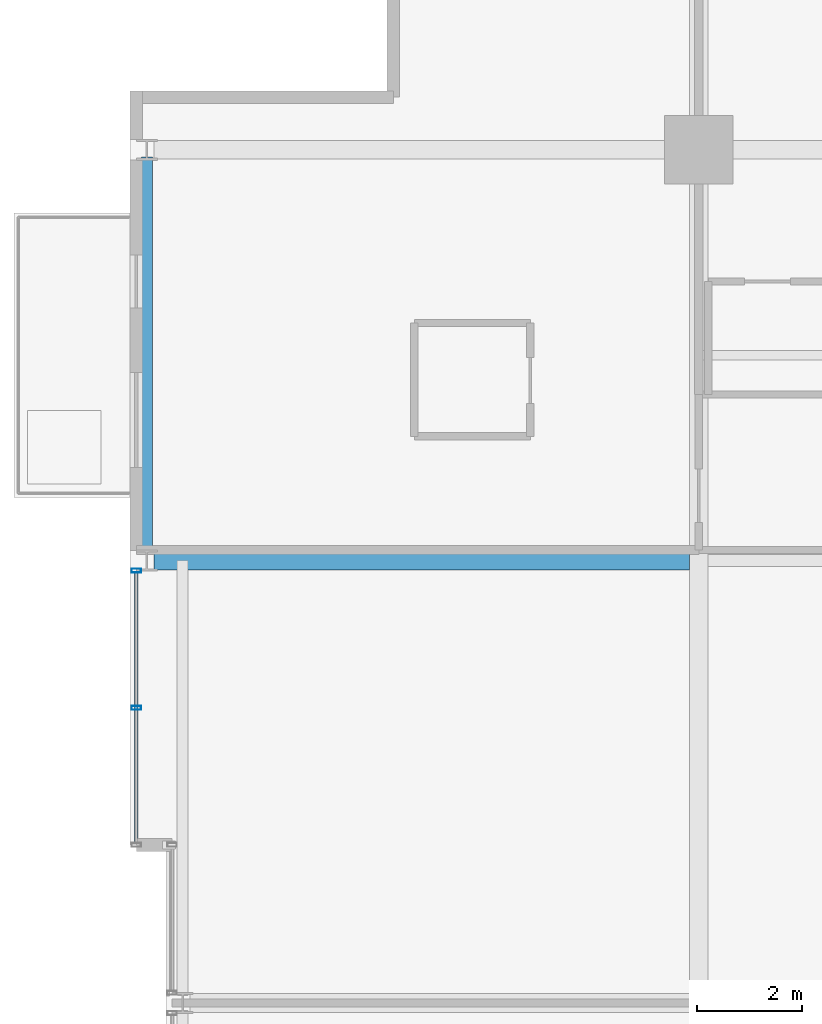
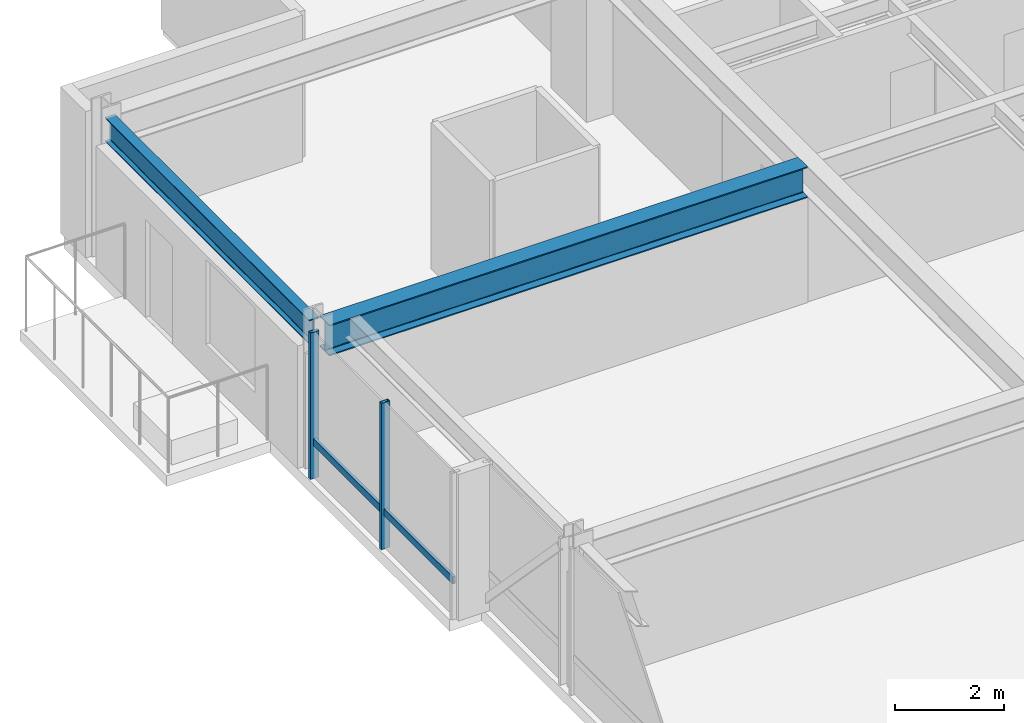
# One storey, part 17 of 32: 3 members, 2 beams, 1 element without a shape of its own.
"""IFC4 building model written with IfcOpenShell, lengths in metres."""

from ifc_helpers import new_model, si_unit, direction, frame, origin, origin_2d, place, context, subcontext, project, spatial, hollow_rectangle, i_section, extrude, material, layer, layer_set, material_profile, profile_set, type_object, element, aggregate, save


model = new_model("IFC4")

# Units and contexts
model_context = context("Model", 3, precision=1e-05, world=origin(), true_north=direction((0.0, 1.0)))
body_context = subcontext(model_context, "Body", "Model", "MODEL_VIEW")
ifc_project = project(units=[si_unit("LENGTHUNIT", "METRE"), si_unit("AREAUNIT", "SQUARE_METRE"), si_unit("VOLUMEUNIT", "CUBIC_METRE"), si_unit("PLANEANGLEUNIT", "RADIAN"), si_unit("MASSUNIT", "GRAM", prefix="KILO")], contexts=[model_context])

# Site, building, storey
site_placement = place(None, origin())
site = spatial("IfcSite", under=ifc_project, at=site_placement, CompositionType="ELEMENT")
building_placement = place(site_placement, origin())
building = spatial("IfcBuilding", under=site, at=building_placement, Name="Drelvath Grand Hotel", CompositionType="ELEMENT")
storey_placement = place(building_placement, frame((0.0, 0.0, 182.35009765625)))
storey = spatial("IfcBuildingStorey", under=building, at=storey_placement, Name="L47", CompositionType="ELEMENT", Elevation=182.35009765625)

# Curtain wall, members
ifc_material_1 = material(Name="Brushed Pale-Silver Anodised Aluminium Frame", Category="aluminium")
ifc_layer = layer(ifc_material_1, 0.199951171875)
ifc_layer_set = layer_set([ifc_layer], Name="Brushed Pale-Silver Anodised Aluminium Frame")
curtain_wall_type = type_object("IfcCurtainWallType", Name="Stick Curtain Wall CW-04 Brushed Silver Upper-Mid", PredefinedType="NOTDEFINED", material=ifc_layer_set)
curtain_wall_placement = place(storey_placement, origin())
curtain_wall = element("IfcCurtainWall", 1, at=curtain_wall_placement, inside=storey, type_object=curtain_wall_type, Name="L47 CW-04 Curtain Wall CW04-L47-WN1", PredefinedType="NOTDEFINED")
ifc_material_profile_1 = material_profile(ifc_material_1, hollow_rectangle(XDim=0.06494140625, YDim=0.159912109375, WallThickness=0.00390625, at=origin_2d()), Name="HSS160X65X4")
ifc_profile_set_1 = profile_set([ifc_material_profile_1], Name="Brushed Pale-Silver Anodised Aluminium Frame")
member_type_1 = type_object("IfcMemberType", Name="Curtain Wall Horizontal Transom CW-04 HSS160X65X4", PredefinedType="USERDEFINED", material=ifc_profile_set_1)
member_1_placement = place(storey_placement, frame((-26.8798828125, 30.0400390625, 0.822509765625), z_axis=(0.0, 1.0, 0.0), x_axis=(-1.0, 0.0, 0.0)))
member_1 = element("IfcMember", 2, at=member_1_placement, type_object=member_type_1, Name="CW04-L47-WN1 Sill Transom", ObjectType="TRANSOM", PredefinedType="USERDEFINED", context=body_context, shape_type="SweptSolid", body=[
    extrude(hollow_rectangle(XDim=0.06494140625, YDim=0.159912109375, WallThickness=0.00390625, at=origin_2d()), origin(), (0.0, 0.0, 1.0), 5.12841796875),
])
ifc_material_profile_2 = material_profile(ifc_material_1, hollow_rectangle(XDim=0.074951171875, YDim=0.179931640625, WallThickness=0.0048828125, at=origin_2d()), Name="HSS180X75X5")
ifc_profile_set_2 = profile_set([ifc_material_profile_2], Name="Brushed Pale-Silver Anodised Aluminium Frame")
member_type_2 = type_object("IfcMemberType", Name="Curtain Wall Vertical Mullion CW-04 HSS180X75X5", PredefinedType="MULLION", material=ifc_profile_set_2)
member_2_placement = place(storey_placement, frame((-26.8798828125, 32.604248046875, 0.0), z_axis=(0.0, 0.0, 1.0), x_axis=(0.0, 1.0, 0.0)))
member_2 = element("IfcMember", 3, at=member_2_placement, type_object=member_type_2, Name="CW04-L47-WN1 Mullion 2", PredefinedType="MULLION", context=body_context, shape_type="SweptSolid", body=[
    extrude(hollow_rectangle(XDim=0.074951171875, YDim=0.179931640625, WallThickness=0.0048828125, at=origin_2d()), origin(), (0.0, 0.0, 1.0), 3.289794921875),
])
member_3_placement = place(storey_placement, frame((-26.8798828125, 35.20849609375, 0.0), z_axis=(0.0, 0.0, 1.0), x_axis=(0.0, 1.0, 0.0)))
member_3 = element("IfcMember", 4, at=member_3_placement, type_object=member_type_2, Name="CW04-L47-WN1 Mullion 3", PredefinedType="MULLION", context=body_context, shape_type="SweptSolid", body=[
    extrude(hollow_rectangle(XDim=0.074951171875, YDim=0.179931640625, WallThickness=0.0048828125, at=origin_2d()), origin(), (0.0, 0.0, 1.0), 3.289794921875),
])
aggregate(curtain_wall, [member_2, member_3, member_1])

# Beams
ifc_material_2 = material(Name="Steel ASTM A992 Gr 50", Category="steel")
ifc_material_profile_3 = material_profile(ifc_material_2, i_section(OverallWidth=0.210205078125, OverallDepth=0.53662109375, WebThickness=0.010986328125, FlangeThickness=0.017333984375, FilletRadius=0.01806640625, at=origin_2d()), Name="W21X68")
ifc_profile_set_3 = profile_set([ifc_material_profile_3], Name="Steel ASTM A992 Gr 50")
beam_type_1 = type_object("IfcBeamType", Name="Perimeter Spandrel Beam W21X68", PredefinedType="SPANDREL", material=ifc_profile_set_3)
beam_1_placement = place(storey_placement, frame((-26.679931640625, 35.5400390625, 3.021484375), z_axis=(0.0, 1.0, 0.0), x_axis=(-1.0, 0.0, 0.0)))
element("IfcBeam", 5, at=beam_1_placement, inside=storey, type_object=beam_type_1, Name="L47 Spandrel West N", PredefinedType="SPANDREL", context=body_context, shape_type="SweptSolid", body=[
    extrude(i_section(OverallWidth=0.210205078125, OverallDepth=0.53662109375, WebThickness=0.010986328125, FlangeThickness=0.017333984375, FilletRadius=0.01806640625, at=origin_2d()), origin(), (0.0, 0.0, 1.0), 7.52001953125),
])
ifc_material_profile_4 = material_profile(ifc_material_2, i_section(OverallWidth=0.354736328125, OverallDepth=0.695556640625, WebThickness=0.015380859375, FlangeThickness=0.025146484375, FilletRadius=0.02392578125, at=origin_2d()), Name="W27X146")
ifc_profile_set_4 = profile_set([ifc_material_profile_4], Name="Steel ASTM A992 Gr 50")
beam_type_2 = type_object("IfcBeamType", Name="Primary Floor Girder W27X146", PredefinedType="BEAM", material=ifc_profile_set_4)
beam_2_placement = place(storey_placement, frame((-26.5400390625, 35.39990234375, 2.942138671875), z_axis=(1.0, 0.0, 0.0), x_axis=(0.0, 1.0, 0.0)))
element("IfcBeam", 6, at=beam_2_placement, inside=storey, type_object=beam_type_2, Name="L47 West Wing Girder F", PredefinedType="BEAM", context=body_context, shape_type="SweptSolid", body=[
    extrude(i_section(OverallWidth=0.354736328125, OverallDepth=0.695556640625, WebThickness=0.015380859375, FlangeThickness=0.025146484375, FilletRadius=0.02392578125, at=origin_2d()), origin(), (0.0, 0.0, 1.0), 10.16259765625),
])

save(model, "model.ifc")
